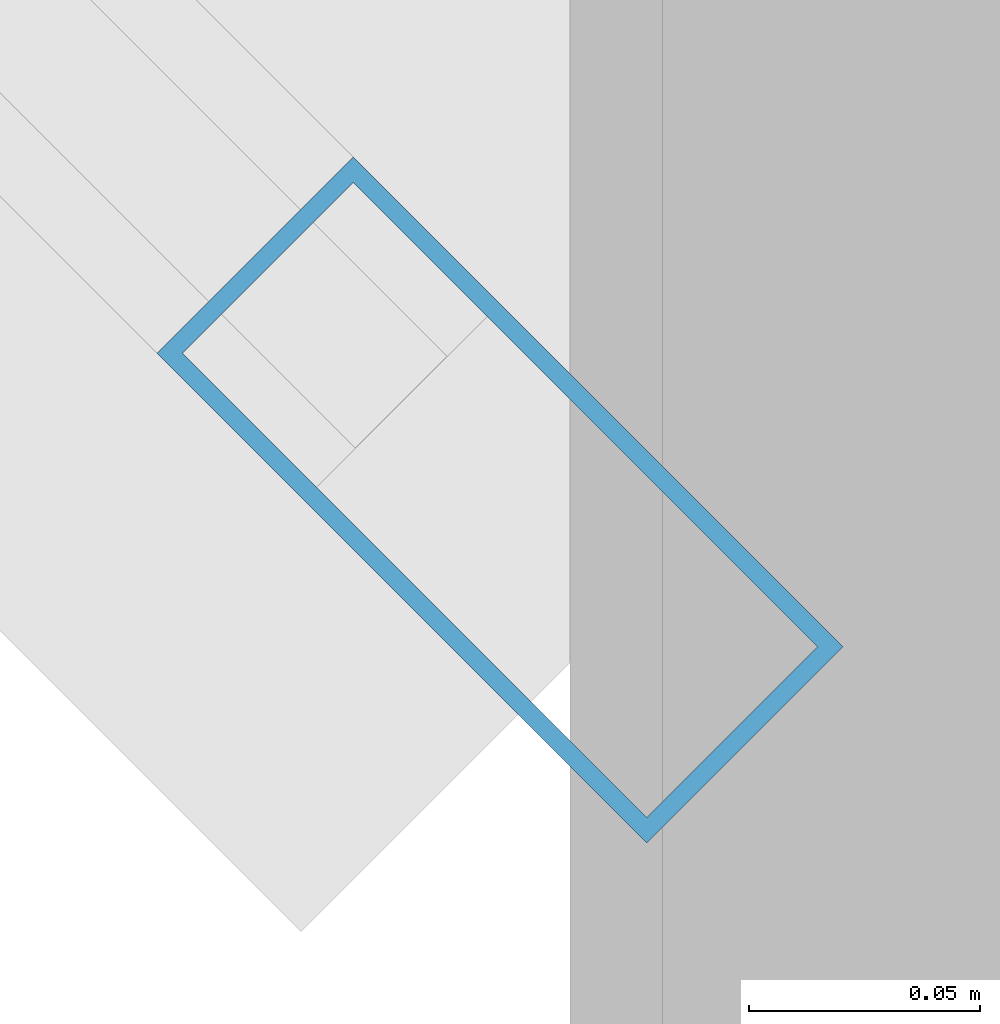
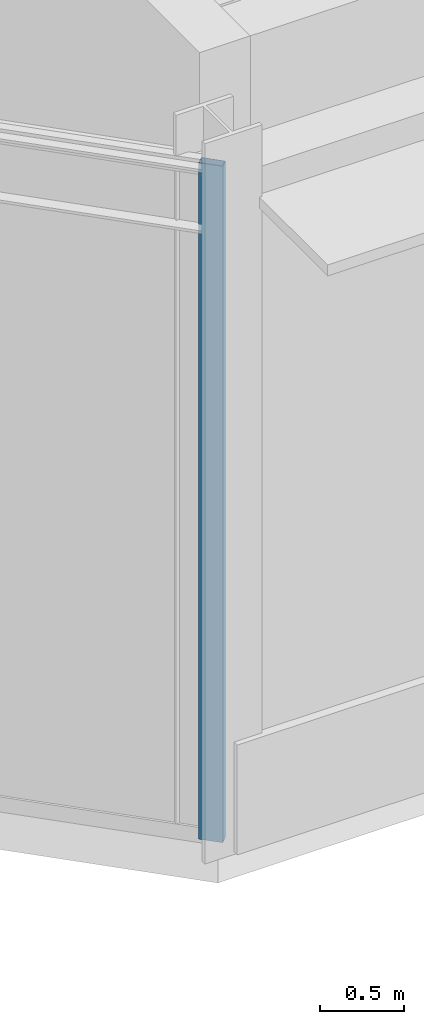
# One storey, part 58 of 168: 1 member, 1 element without a shape of its own.
"""IFC4 building model written with IfcOpenShell, lengths in metres."""

from ifc_helpers import new_model, si_unit, direction, frame, origin, origin_2d, place, context, subcontext, project, spatial, hollow_rectangle, extrude, material, material_profile, profile_set, type_object, element, aggregate, save


model = new_model("IFC4")

# Units and contexts
model_context = context("Model", 3, precision=1e-05, world=origin(), true_north=direction((0.0, 1.0)))
body_context = subcontext(model_context, "Body", "Model", "MODEL_VIEW")
ifc_project = project(units=[si_unit("LENGTHUNIT", "METRE"), si_unit("AREAUNIT", "SQUARE_METRE"), si_unit("VOLUMEUNIT", "CUBIC_METRE"), si_unit("PLANEANGLEUNIT", "RADIAN"), si_unit("MASSUNIT", "GRAM", prefix="KILO")], contexts=[model_context])

# Site, building, storey
site_placement = place(None, origin())
site = spatial("IfcSite", under=ifc_project, at=site_placement, CompositionType="ELEMENT")
building_placement = place(site_placement, origin())
building = spatial("IfcBuilding", under=site, at=building_placement, Name="Almandine Court Research Institute", CompositionType="ELEMENT")
storey_placement = place(building_placement, origin())
storey = spatial("IfcBuildingStorey", under=building, at=storey_placement, Name="L00", CompositionType="ELEMENT", Elevation=0.0)

# Curtain wall, member
ifc_material_1 = material(Name="Unitised Curtain Wall Framing and Solar Glazing", Category="glass")
curtain_wall_type = type_object("IfcCurtainWallType", Name="CW-CWG-04", PredefinedType="USERDEFINED", material=ifc_material_1)
curtain_wall_placement = place(storey_placement, origin())
curtain_wall = element("IfcCurtainWall", 1, at=curtain_wall_placement, inside=storey, type_object=curtain_wall_type, Name="L00 Cleanroom SW Chamfer Glazing", ObjectType="UNITISED GLAZING", PredefinedType="USERDEFINED")
ifc_material_2 = material(Name="Anodised Aluminium AW-6063-T6", Category="aluminium")
ifc_material_profile = material_profile(ifc_material_2, hollow_rectangle(XDim=0.06005859375, YDim=0.14990234375, WallThickness=0.00390625, at=origin_2d()), Name="ALU RHS 60x150x4")
ifc_profile_set = profile_set([ifc_material_profile], Name="Anodised Aluminium AW-6063-T6")
member_type = type_object("IfcMemberType", Name="CWMul-60x150", PredefinedType="MULLION", material=ifc_profile_set)
member_placement = place(storey_placement, frame((10.77490234375, 84.025146484375, 0.0), z_axis=(0.0, 0.0, 1.0), x_axis=(-0.707106781187, -0.707106781187, 0.0)))
member = element("IfcMember", 2, at=member_placement, type_object=member_type, Name="CWG-04 mullion 1", PredefinedType="MULLION", context=body_context, shape_type="SweptSolid", body=[
    extrude(hollow_rectangle(XDim=0.06005859375, YDim=0.14990234375, WallThickness=0.00390625, at=origin_2d()), origin(), (0.0, 0.0, 1.0), 4.929931640625),
])
aggregate(curtain_wall, [member])

save(model, "model.ifc")
